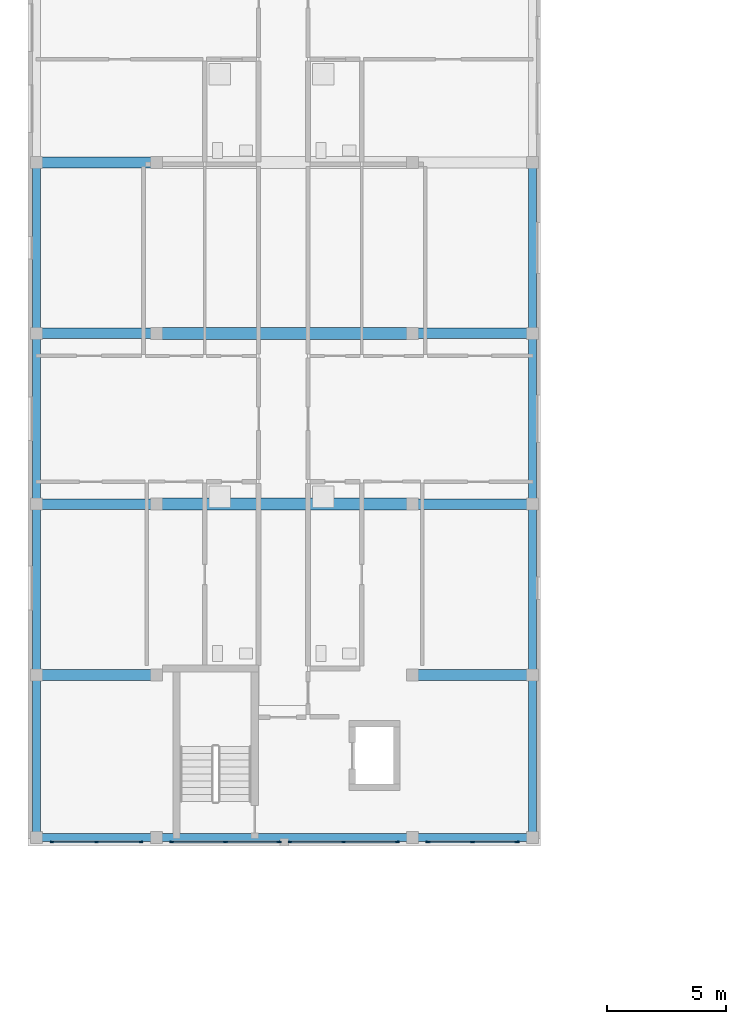
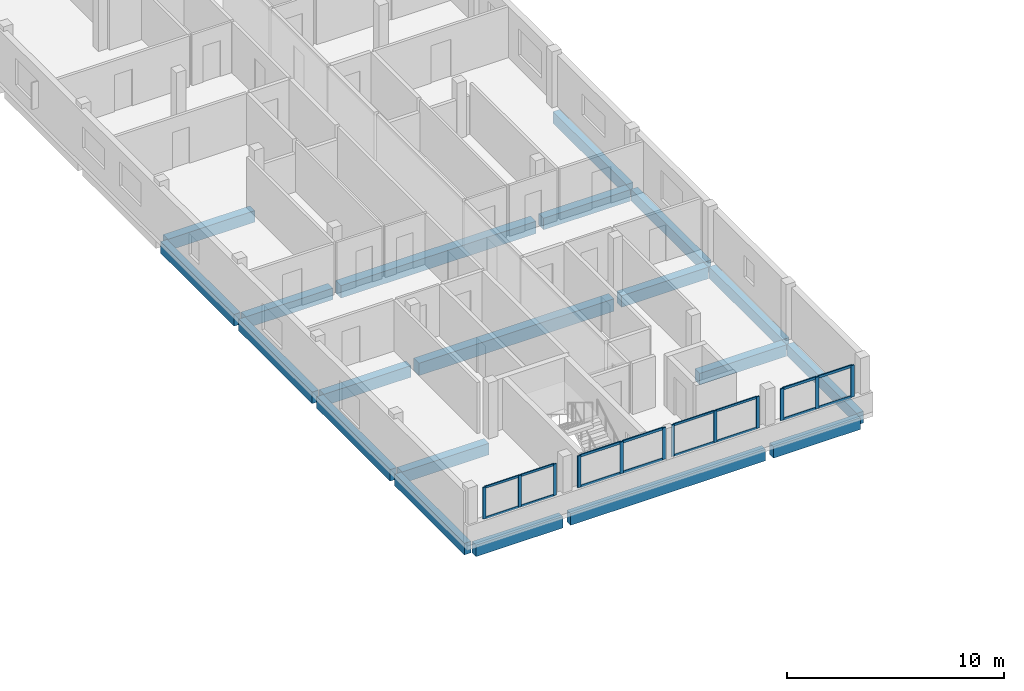
# One storey, part 4 of 28: 28 members, 20 beams, 4 elements without a shape of their own.
"""IFC4 building model written with IfcOpenShell, lengths in metres."""

from ifc_helpers import new_model, si_unit, derived_unit, direction, frame, origin, origin_2d, place, context, subcontext, project, spatial, rectangle, extrude, material, layer, layer_set, material_profile, profile_set, type_object, element, aggregate, save


model = new_model("IFC4")

# Units and contexts
model_context = context("Model", 3, precision=1e-05, world=origin(), true_north=direction((0.0, 1.0)))
body_context = subcontext(model_context, "Body", "Model", "MODEL_VIEW")
ifc_project = project(units=[si_unit("LENGTHUNIT", "METRE"), si_unit("AREAUNIT", "SQUARE_METRE"), si_unit("VOLUMEUNIT", "CUBIC_METRE"), si_unit("PLANEANGLEUNIT", "RADIAN"), si_unit("MASSUNIT", "GRAM", prefix="KILO"), derived_unit("THERMALTRANSMITTANCEUNIT", [(si_unit("MASSUNIT", "GRAM", prefix="KILO"), 1), (si_unit("TIMEUNIT", "SECOND"), -3), (si_unit("THERMODYNAMICTEMPERATUREUNIT", "KELVIN"), -1)])], contexts=[model_context])

# Site, building, storey
site_placement = place(None, origin())
site = spatial("IfcSite", under=ifc_project, at=site_placement, CompositionType="ELEMENT")
building_placement = place(site_placement, origin())
building = spatial("IfcBuilding", under=site, at=building_placement, Name="Ochrekiln Boulevard Commons", CompositionType="ELEMENT")
storey_placement = place(building_placement, frame((0.0, 0.0, 34.125)))
storey = spatial("IfcBuildingStorey", under=building, at=storey_placement, Name="L10", CompositionType="ELEMENT", Elevation=34.125)

# Beams
ifc_material_1 = material(Name="Concrete C35/45", Category="concrete")
ifc_material_profile_1 = material_profile(ifc_material_1, rectangle(XDim=0.449951171875, YDim=0.64990234375, at=origin_2d()), Name="RC-BM-450x650")
ifc_profile_set_1 = profile_set([ifc_material_profile_1], Name="Concrete C35/45")
beam_type_1 = type_object("IfcBeamType", Name="BM-RC-450x650", PredefinedType="BEAM", material=ifc_profile_set_1)
beam_1_placement = place(storey_placement, frame((0.56005859375, 75.60009765625, -0.574951171875), z_axis=(1.0, 0.0, 0.0), x_axis=(0.0, 1.0, 0.0)))
element("IfcBeam", 1, at=beam_1_placement, inside=storey, type_object=beam_type_1, Name="Block A L10 Beam B-4565 X4", PredefinedType="BEAM", context=body_context, shape_type="SweptSolid", body=[
    extrude(rectangle(XDim=0.449951171875, YDim=0.64990234375, at=origin_2d()), origin(), (0.0, 0.0, 1.0), 4.6298828125),
])
beam_2_placement = place(storey_placement, frame((16.409912109375, 75.60009765625, -0.574951171875), z_axis=(1.0, 0.0, 0.0), x_axis=(0.0, 1.0, 0.0)))
element("IfcBeam", 2, at=beam_2_placement, inside=storey, type_object=beam_type_1, Name="Block A L10 Beam B-4565 X5", PredefinedType="BEAM", context=body_context, shape_type="SweptSolid", body=[
    extrude(rectangle(XDim=0.449951171875, YDim=0.64990234375, at=origin_2d()), origin(), (0.0, 0.0, 1.0), 4.630126953125),
])
beam_3_placement = place(storey_placement, frame((0.56005859375, 82.800048828125, -0.574951171875), z_axis=(1.0, 0.0, 0.0), x_axis=(0.0, 1.0, 0.0)))
element("IfcBeam", 3, at=beam_3_placement, inside=storey, type_object=beam_type_1, Name="Block A L10 Beam B-4565 X6", PredefinedType="BEAM", context=body_context, shape_type="SweptSolid", body=[
    extrude(rectangle(XDim=0.449951171875, YDim=0.64990234375, at=origin_2d()), origin(), (0.0, 0.0, 1.0), 4.6298828125),
])
beam_4_placement = place(storey_placement, frame((16.409912109375, 82.800048828125, -0.574951171875), z_axis=(1.0, 0.0, 0.0), x_axis=(0.0, 1.0, 0.0)))
element("IfcBeam", 4, at=beam_4_placement, inside=storey, type_object=beam_type_1, Name="Block A L10 Beam B-4565 X8", PredefinedType="BEAM", context=body_context, shape_type="SweptSolid", body=[
    extrude(rectangle(XDim=0.449951171875, YDim=0.64990234375, at=origin_2d()), origin(), (0.0, 0.0, 1.0), 4.630126953125),
])
beam_5_placement = place(storey_placement, frame((0.56005859375, 90.0, -0.574951171875), z_axis=(1.0, 0.0, 0.0), x_axis=(0.0, 1.0, 0.0)))
element("IfcBeam", 5, at=beam_5_placement, inside=storey, type_object=beam_type_1, Name="Block A L10 Beam B-4565 X9", PredefinedType="BEAM", context=body_context, shape_type="SweptSolid", body=[
    extrude(rectangle(XDim=0.449951171875, YDim=0.64990234375, at=origin_2d()), origin(), (0.0, 0.0, 1.0), 4.6298828125),
])
beam_6_placement = place(storey_placement, frame((16.409912109375, 90.0, -0.574951171875), z_axis=(1.0, 0.0, 0.0), x_axis=(0.0, 1.0, 0.0)))
element("IfcBeam", 6, at=beam_6_placement, inside=storey, type_object=beam_type_1, Name="Block A L10 Beam B-4565 X11", PredefinedType="BEAM", context=body_context, shape_type="SweptSolid", body=[
    extrude(rectangle(XDim=0.449951171875, YDim=0.64990234375, at=origin_2d()), origin(), (0.0, 0.0, 1.0), 4.630126953125),
])
beam_7_placement = place(storey_placement, frame((0.56005859375, 97.199951171875, -0.574951171875), z_axis=(1.0, 0.0, 0.0), x_axis=(0.0, 1.0, 0.0)))
element("IfcBeam", 7, at=beam_7_placement, inside=storey, type_object=beam_type_1, Name="Block A L10 Beam B-4565 X12", PredefinedType="BEAM", context=body_context, shape_type="SweptSolid", body=[
    extrude(rectangle(XDim=0.449951171875, YDim=0.64990234375, at=origin_2d()), origin(), (0.0, 0.0, 1.0), 4.6298828125),
])
ifc_material_2 = material(Name="Concrete C40/50", Category="concrete")
ifc_material_profile_2 = material_profile(ifc_material_2, rectangle(XDim=0.5, YDim=0.699951171875, at=origin_2d()), Name="RC-BM-500x700")
ifc_profile_set_2 = profile_set([ifc_material_profile_2], Name="Concrete C40/50")
beam_type_2 = type_object("IfcBeamType", Name="BM-RC-500x700", PredefinedType="BEAM", material=ifc_profile_set_2)
for number, where, z_axis, x_axis, name in (
    (8, (5.610107421875, 82.800048828125, -0.60009765625), (1.0, 0.0, 0.0), (0.0, 1.0, 0.0), "Block A L10 Beam B-5070 X7"),
    (9, (5.610107421875, 90.0, -0.60009765625), (1.0, 0.0, 0.0), (0.0, 1.0, 0.0), "Block A L10 Beam B-5070 X10"),
):
    element("IfcBeam", number, at=place(storey_placement, frame(where, z_axis=z_axis, x_axis=x_axis)), inside=storey, type_object=beam_type_2, Name=name, PredefinedType="BEAM", context=body_context, shape_type="SweptSolid", body=[
        extrude(rectangle(XDim=0.5, YDim=0.699951171875, at=origin_2d()), origin(), (0.0, 0.0, 1.0), 10.3798828125),
    ])

# Curtain wall, members
ifc_material_3 = material(Name="Bronze-anodized extruded aluminium 6063-T6", Category="aluminium")
ifc_layer = layer(ifc_material_3, 0.172119140625)
ifc_layer_set = layer_set([ifc_layer], Name="Bronze-anodized extruded aluminium 6063-T6")
curtain_wall_type = type_object("IfcCurtainWallType", Name="CW-GABLE-A", PredefinedType="USERDEFINED", material=ifc_layer_set)
curtain_wall_1_placement = place(storey_placement, origin())
curtain_wall_1 = element("IfcCurtainWall", 10, at=curtain_wall_1_placement, inside=storey, type_object=curtain_wall_type, Name="Block A L10 Courtyard Glazed Gable Curtain Wall 1", ObjectType="GLAZED CURTAIN WALL", PredefinedType="USERDEFINED")
ifc_material_profile_3 = material_profile(ifc_material_3, rectangle(XDim=0.06005859375, YDim=0.159912109375, at=origin_2d()), Name="ALU-MUL-60x160")
ifc_profile_set_3 = profile_set([ifc_material_profile_3], Name="Bronze-anodized extruded aluminium 6063-T6")
member_type_1 = type_object("IfcMemberType", Name="CWM-60x160", PredefinedType="MULLION", material=ifc_profile_set_3)
member_1_placement = place(storey_placement, frame((1.0, 68.56005859375, 1.110107421875), z_axis=(0.0, 0.0, 1.0), x_axis=(0.0, 1.0, 0.0)))
member_1 = element("IfcMember", 11, at=member_1_placement, type_object=member_type_1, Name="CW-01 mullion 1", PredefinedType="MULLION", context=body_context, shape_type="SweptSolid", body=[
    extrude(rectangle(XDim=0.06005859375, YDim=0.159912109375, at=origin_2d()), origin(), (0.0, 0.0, 1.0), 1.77978515625),
])
member_2_placement = place(storey_placement, frame((2.875, 68.56005859375, 1.110107421875), z_axis=(0.0, 0.0, 1.0), x_axis=(0.0, 1.0, 0.0)))
member_2 = element("IfcMember", 12, at=member_2_placement, type_object=member_type_1, Name="CW-01 mullion 2", PredefinedType="MULLION", context=body_context, shape_type="SweptSolid", body=[
    extrude(rectangle(XDim=0.06005859375, YDim=0.159912109375, at=origin_2d()), origin(), (0.0, 0.0, 1.0), 1.77978515625),
])
member_3_placement = place(storey_placement, frame((4.75, 68.56005859375, 1.110107421875), z_axis=(0.0, 0.0, 1.0), x_axis=(0.0, 1.0, 0.0)))
member_3 = element("IfcMember", 13, at=member_3_placement, type_object=member_type_1, Name="CW-01 mullion 3", PredefinedType="MULLION", context=body_context, shape_type="SweptSolid", body=[
    extrude(rectangle(XDim=0.06005859375, YDim=0.159912109375, at=origin_2d()), origin(), (0.0, 0.0, 1.0), 1.77978515625),
])

curtain_wall_2_placement = place(storey_placement, origin())
curtain_wall_2 = element("IfcCurtainWall", 14, at=curtain_wall_2_placement, inside=storey, type_object=curtain_wall_type, Name="Block A L10 Courtyard Glazed Gable Curtain Wall 3", ObjectType="GLAZED CURTAIN WALL", PredefinedType="USERDEFINED")
member_4_placement = place(storey_placement, frame((11.030029296875, 68.56005859375, 1.110107421875), z_axis=(0.0, 0.0, 1.0), x_axis=(0.0, 1.0, 0.0)))
member_4 = element("IfcMember", 15, at=member_4_placement, type_object=member_type_1, Name="CW-01 mullion 1", PredefinedType="MULLION", context=body_context, shape_type="SweptSolid", body=[
    extrude(rectangle(XDim=0.06005859375, YDim=0.159912109375, at=origin_2d()), origin(), (0.0, 0.0, 1.0), 1.77978515625),
])
member_5_placement = place(storey_placement, frame((13.2900390625, 68.56005859375, 1.110107421875), z_axis=(0.0, 0.0, 1.0), x_axis=(0.0, 1.0, 0.0)))
member_5 = element("IfcMember", 16, at=member_5_placement, type_object=member_type_1, Name="CW-01 mullion 2", PredefinedType="MULLION", context=body_context, shape_type="SweptSolid", body=[
    extrude(rectangle(XDim=0.06005859375, YDim=0.159912109375, at=origin_2d()), origin(), (0.0, 0.0, 1.0), 1.77978515625),
])
member_6_placement = place(storey_placement, frame((15.550048828125, 68.56005859375, 1.110107421875), z_axis=(0.0, 0.0, 1.0), x_axis=(0.0, 1.0, 0.0)))
member_6 = element("IfcMember", 17, at=member_6_placement, type_object=member_type_1, Name="CW-01 mullion 3", PredefinedType="MULLION", context=body_context, shape_type="SweptSolid", body=[
    extrude(rectangle(XDim=0.06005859375, YDim=0.159912109375, at=origin_2d()), origin(), (0.0, 0.0, 1.0), 1.77978515625),
])

curtain_wall_3_placement = place(storey_placement, origin())
curtain_wall_3 = element("IfcCurtainWall", 18, at=curtain_wall_3_placement, inside=storey, type_object=curtain_wall_type, Name="Block A L10 Courtyard Glazed Gable Curtain Wall 2", ObjectType="GLAZED CURTAIN WALL", PredefinedType="USERDEFINED")
ifc_material_profile_4 = material_profile(ifc_material_3, rectangle(XDim=0.06494140625, YDim=0.179931640625, at=origin_2d()), Name="ALU-MUL-65x180")
ifc_profile_set_4 = profile_set([ifc_material_profile_4], Name="Bronze-anodized extruded aluminium 6063-T6")
member_type_2 = type_object("IfcMemberType", Name="CWM-65x180", PredefinedType="MULLION", material=ifc_profile_set_4)
member_7_placement = place(storey_placement, frame((6.052490234375, 68.56005859375, 1.110107421875), z_axis=(0.0, 0.0, 1.0), x_axis=(0.0, 1.0, 0.0)))
member_7 = element("IfcMember", 19, at=member_7_placement, type_object=member_type_2, Name="CW-01 mullion 1", PredefinedType="MULLION", context=body_context, shape_type="SweptSolid", body=[
    extrude(rectangle(XDim=0.06494140625, YDim=0.179931640625, at=origin_2d()), origin(), (0.0, 0.0, 1.0), 1.77978515625),
])
member_8_placement = place(storey_placement, frame((8.31005859375, 68.56005859375, 1.110107421875), z_axis=(0.0, 0.0, 1.0), x_axis=(0.0, 1.0, 0.0)))
member_8 = element("IfcMember", 20, at=member_8_placement, type_object=member_type_2, Name="CW-01 mullion 2", PredefinedType="MULLION", context=body_context, shape_type="SweptSolid", body=[
    extrude(rectangle(XDim=0.06494140625, YDim=0.179931640625, at=origin_2d()), origin(), (0.0, 0.0, 1.0), 1.77978515625),
])
member_9_placement = place(storey_placement, frame((10.5673828125, 68.56005859375, 1.110107421875), z_axis=(0.0, 0.0, 1.0), x_axis=(0.0, 1.0, 0.0)))
member_9 = element("IfcMember", 21, at=member_9_placement, type_object=member_type_2, Name="CW-01 mullion 3", PredefinedType="MULLION", context=body_context, shape_type="SweptSolid", body=[
    extrude(rectangle(XDim=0.06494140625, YDim=0.179931640625, at=origin_2d()), origin(), (0.0, 0.0, 1.0), 1.77978515625),
])

curtain_wall_4_placement = place(storey_placement, origin())
curtain_wall_4 = element("IfcCurtainWall", 22, at=curtain_wall_4_placement, inside=storey, type_object=curtain_wall_type, Name="Block A L10 Courtyard Glazed Gable Curtain Wall 4", ObjectType="GLAZED CURTAIN WALL", PredefinedType="USERDEFINED")
member_10_placement = place(storey_placement, frame((16.8525390625, 68.56005859375, 1.110107421875), z_axis=(0.0, 0.0, 1.0), x_axis=(0.0, 1.0, 0.0)))
member_10 = element("IfcMember", 23, at=member_10_placement, type_object=member_type_2, Name="CW-01 mullion 1", PredefinedType="MULLION", context=body_context, shape_type="SweptSolid", body=[
    extrude(rectangle(XDim=0.06494140625, YDim=0.179931640625, at=origin_2d()), origin(), (0.0, 0.0, 1.0), 1.77978515625),
])
member_11_placement = place(storey_placement, frame((18.72509765625, 68.56005859375, 1.110107421875), z_axis=(0.0, 0.0, 1.0), x_axis=(0.0, 1.0, 0.0)))
member_11 = element("IfcMember", 24, at=member_11_placement, type_object=member_type_2, Name="CW-01 mullion 2", PredefinedType="MULLION", context=body_context, shape_type="SweptSolid", body=[
    extrude(rectangle(XDim=0.06494140625, YDim=0.179931640625, at=origin_2d()), origin(), (0.0, 0.0, 1.0), 1.77978515625),
])
member_12_placement = place(storey_placement, frame((20.597412109375, 68.56005859375, 1.110107421875), z_axis=(0.0, 0.0, 1.0), x_axis=(0.0, 1.0, 0.0)))
member_12 = element("IfcMember", 25, at=member_12_placement, type_object=member_type_2, Name="CW-01 mullion 3", PredefinedType="MULLION", context=body_context, shape_type="SweptSolid", body=[
    extrude(rectangle(XDim=0.06494140625, YDim=0.179931640625, at=origin_2d()), origin(), (0.0, 0.0, 1.0), 1.77978515625),
])

# Member
ifc_material_profile_5 = material_profile(ifc_material_3, rectangle(XDim=0.06005859375, YDim=0.1201171875, at=origin_2d()), Name="ALU-TRN-60x120")
ifc_profile_set_5 = profile_set([ifc_material_profile_5], Name="Bronze-anodized extruded aluminium 6063-T6")
member_type_3 = type_object("IfcMemberType", Name="CWT-60x120", PredefinedType="USERDEFINED", material=ifc_profile_set_5)
member_13_placement = place(storey_placement, frame((1.030029296875, 68.56005859375, 1.139892578125), z_axis=(1.0, 0.0, 0.0), x_axis=(0.0, 1.0, 0.0)))
member_13 = element("IfcMember", 26, at=member_13_placement, type_object=member_type_3, Name="CW-01 transom 1.1", ObjectType="TRANSOM", PredefinedType="USERDEFINED", context=body_context, shape_type="SweptSolid", body=[
    extrude(rectangle(XDim=0.06005859375, YDim=0.1201171875, at=origin_2d()), origin(), (0.0, 0.0, 1.0), 1.81494140625),
])

member_14_placement = place(storey_placement, frame((1.030029296875, 68.56005859375, 2.860107421875), z_axis=(1.0, 0.0, 0.0), x_axis=(0.0, 1.0, 0.0)))
member_14 = element("IfcMember", 27, at=member_14_placement, type_object=member_type_3, Name="CW-01 transom 1.2", ObjectType="TRANSOM", PredefinedType="USERDEFINED", context=body_context, shape_type="SweptSolid", body=[
    extrude(rectangle(XDim=0.06005859375, YDim=0.1201171875, at=origin_2d()), origin(), (0.0, 0.0, 1.0), 1.81494140625),
])

member_15_placement = place(storey_placement, frame((2.905029296875, 68.56005859375, 1.139892578125), z_axis=(1.0, 0.0, 0.0), x_axis=(0.0, 1.0, 0.0)))
member_15 = element("IfcMember", 28, at=member_15_placement, type_object=member_type_3, Name="CW-01 transom 2.1", ObjectType="TRANSOM", PredefinedType="USERDEFINED", context=body_context, shape_type="SweptSolid", body=[
    extrude(rectangle(XDim=0.06005859375, YDim=0.1201171875, at=origin_2d()), origin(), (0.0, 0.0, 1.0), 1.81494140625),
])

member_16_placement = place(storey_placement, frame((2.905029296875, 68.56005859375, 2.860107421875), z_axis=(1.0, 0.0, 0.0), x_axis=(0.0, 1.0, 0.0)))
member_16 = element("IfcMember", 29, at=member_16_placement, type_object=member_type_3, Name="CW-01 transom 2.2", ObjectType="TRANSOM", PredefinedType="USERDEFINED", context=body_context, shape_type="SweptSolid", body=[
    extrude(rectangle(XDim=0.06005859375, YDim=0.1201171875, at=origin_2d()), origin(), (0.0, 0.0, 1.0), 1.81494140625),
])

aggregate(curtain_wall_1, [member_1, member_2, member_3, member_13, member_14, member_15, member_16])

member_17_placement = place(storey_placement, frame((11.06005859375, 68.56005859375, 1.139892578125), z_axis=(1.0, 0.0, 0.0), x_axis=(0.0, 1.0, 0.0)))
member_17 = element("IfcMember", 30, at=member_17_placement, type_object=member_type_3, Name="CW-01 transom 1.1", ObjectType="TRANSOM", PredefinedType="USERDEFINED", context=body_context, shape_type="SweptSolid", body=[
    extrude(rectangle(XDim=0.06005859375, YDim=0.1201171875, at=origin_2d()), origin(), (0.0, 0.0, 1.0), 2.199951171875),
])

member_18_placement = place(storey_placement, frame((11.06005859375, 68.56005859375, 2.860107421875), z_axis=(1.0, 0.0, 0.0), x_axis=(0.0, 1.0, 0.0)))
member_18 = element("IfcMember", 31, at=member_18_placement, type_object=member_type_3, Name="CW-01 transom 1.2", ObjectType="TRANSOM", PredefinedType="USERDEFINED", context=body_context, shape_type="SweptSolid", body=[
    extrude(rectangle(XDim=0.06005859375, YDim=0.1201171875, at=origin_2d()), origin(), (0.0, 0.0, 1.0), 2.199951171875),
])

member_19_placement = place(storey_placement, frame((13.320068359375, 68.56005859375, 1.139892578125), z_axis=(1.0, 0.0, 0.0), x_axis=(0.0, 1.0, 0.0)))
member_19 = element("IfcMember", 32, at=member_19_placement, type_object=member_type_3, Name="CW-01 transom 2.1", ObjectType="TRANSOM", PredefinedType="USERDEFINED", context=body_context, shape_type="SweptSolid", body=[
    extrude(rectangle(XDim=0.06005859375, YDim=0.1201171875, at=origin_2d()), origin(), (0.0, 0.0, 1.0), 2.199951171875),
])

member_20_placement = place(storey_placement, frame((13.320068359375, 68.56005859375, 2.860107421875), z_axis=(1.0, 0.0, 0.0), x_axis=(0.0, 1.0, 0.0)))
member_20 = element("IfcMember", 33, at=member_20_placement, type_object=member_type_3, Name="CW-01 transom 2.2", ObjectType="TRANSOM", PredefinedType="USERDEFINED", context=body_context, shape_type="SweptSolid", body=[
    extrude(rectangle(XDim=0.06005859375, YDim=0.1201171875, at=origin_2d()), origin(), (0.0, 0.0, 1.0), 2.199951171875),
])

aggregate(curtain_wall_2, [member_4, member_5, member_6, member_17, member_18, member_19, member_20])

ifc_material_profile_6 = material_profile(ifc_material_3, rectangle(XDim=0.06494140625, YDim=0.139892578125, at=origin_2d()), Name="ALU-TRN-65x140")
ifc_profile_set_6 = profile_set([ifc_material_profile_6], Name="Bronze-anodized extruded aluminium 6063-T6")
member_type_4 = type_object("IfcMemberType", Name="CWT-65x140", PredefinedType="USERDEFINED", material=ifc_profile_set_6)
member_21_placement = place(storey_placement, frame((6.0849609375, 68.56005859375, 1.142578125), z_axis=(1.0, 0.0, 0.0), x_axis=(0.0, 1.0, 0.0)))
member_21 = element("IfcMember", 34, at=member_21_placement, type_object=member_type_4, Name="CW-01 transom 1.1", ObjectType="TRANSOM", PredefinedType="USERDEFINED", context=body_context, shape_type="SweptSolid", body=[
    extrude(rectangle(XDim=0.06494140625, YDim=0.139892578125, at=origin_2d()), origin(), (0.0, 0.0, 1.0), 2.192626953125),
])

member_22_placement = place(storey_placement, frame((6.0849609375, 68.56005859375, 2.857421875), z_axis=(1.0, 0.0, 0.0), x_axis=(0.0, 1.0, 0.0)))
member_22 = element("IfcMember", 35, at=member_22_placement, type_object=member_type_4, Name="CW-01 transom 1.2", ObjectType="TRANSOM", PredefinedType="USERDEFINED", context=body_context, shape_type="SweptSolid", body=[
    extrude(rectangle(XDim=0.06494140625, YDim=0.139892578125, at=origin_2d()), origin(), (0.0, 0.0, 1.0), 2.192626953125),
])

member_23_placement = place(storey_placement, frame((8.342529296875, 68.56005859375, 1.142578125), z_axis=(1.0, 0.0, 0.0), x_axis=(0.0, 1.0, 0.0)))
member_23 = element("IfcMember", 36, at=member_23_placement, type_object=member_type_4, Name="CW-01 transom 2.1", ObjectType="TRANSOM", PredefinedType="USERDEFINED", context=body_context, shape_type="SweptSolid", body=[
    extrude(rectangle(XDim=0.06494140625, YDim=0.139892578125, at=origin_2d()), origin(), (0.0, 0.0, 1.0), 2.1923828125),
])

member_24_placement = place(storey_placement, frame((8.342529296875, 68.56005859375, 2.857421875), z_axis=(1.0, 0.0, 0.0), x_axis=(0.0, 1.0, 0.0)))
member_24 = element("IfcMember", 37, at=member_24_placement, type_object=member_type_4, Name="CW-01 transom 2.2", ObjectType="TRANSOM", PredefinedType="USERDEFINED", context=body_context, shape_type="SweptSolid", body=[
    extrude(rectangle(XDim=0.06494140625, YDim=0.139892578125, at=origin_2d()), origin(), (0.0, 0.0, 1.0), 2.1923828125),
])

aggregate(curtain_wall_3, [member_7, member_8, member_9, member_21, member_22, member_23, member_24])

member_25_placement = place(storey_placement, frame((16.885009765625, 68.56005859375, 1.142578125), z_axis=(1.0, 0.0, 0.0), x_axis=(0.0, 1.0, 0.0)))
member_25 = element("IfcMember", 38, at=member_25_placement, type_object=member_type_4, Name="CW-01 transom 1.1", ObjectType="TRANSOM", PredefinedType="USERDEFINED", context=body_context, shape_type="SweptSolid", body=[
    extrude(rectangle(XDim=0.06494140625, YDim=0.139892578125, at=origin_2d()), origin(), (0.0, 0.0, 1.0), 1.807373046875),
])

member_26_placement = place(storey_placement, frame((16.885009765625, 68.56005859375, 2.857421875), z_axis=(1.0, 0.0, 0.0), x_axis=(0.0, 1.0, 0.0)))
member_26 = element("IfcMember", 39, at=member_26_placement, type_object=member_type_4, Name="CW-01 transom 1.2", ObjectType="TRANSOM", PredefinedType="USERDEFINED", context=body_context, shape_type="SweptSolid", body=[
    extrude(rectangle(XDim=0.06494140625, YDim=0.139892578125, at=origin_2d()), origin(), (0.0, 0.0, 1.0), 1.807373046875),
])

member_27_placement = place(storey_placement, frame((18.757568359375, 68.56005859375, 1.142578125), z_axis=(1.0, 0.0, 0.0), x_axis=(0.0, 1.0, 0.0)))
member_27 = element("IfcMember", 40, at=member_27_placement, type_object=member_type_4, Name="CW-01 transom 2.1", ObjectType="TRANSOM", PredefinedType="USERDEFINED", context=body_context, shape_type="SweptSolid", body=[
    extrude(rectangle(XDim=0.06494140625, YDim=0.139892578125, at=origin_2d()), origin(), (0.0, 0.0, 1.0), 1.807373046875),
])

member_28_placement = place(storey_placement, frame((18.757568359375, 68.56005859375, 2.857421875), z_axis=(1.0, 0.0, 0.0), x_axis=(0.0, 1.0, 0.0)))
member_28 = element("IfcMember", 41, at=member_28_placement, type_object=member_type_4, Name="CW-01 transom 2.2", ObjectType="TRANSOM", PredefinedType="USERDEFINED", context=body_context, shape_type="SweptSolid", body=[
    extrude(rectangle(XDim=0.06494140625, YDim=0.139892578125, at=origin_2d()), origin(), (0.0, 0.0, 1.0), 1.807373046875),
])

aggregate(curtain_wall_4, [member_10, member_11, member_12, member_25, member_26, member_27, member_28])

# Beams
ifc_material_profile_7 = material_profile(ifc_material_2, rectangle(XDim=0.35009765625, YDim=0.64990234375, at=origin_2d()), Name="RC-SPN-350x650")
ifc_profile_set_7 = profile_set([ifc_material_profile_7], Name="Concrete C40/50")
beam_type_3 = type_object("IfcBeamType", Name="SPN-RC-350x650", PredefinedType="SPANDREL", material=ifc_profile_set_7)
beam_8_placement = place(storey_placement, frame((0.56005859375, 68.75, -0.574951171875), z_axis=(1.0, 0.0, 0.0), x_axis=(0.0, 1.0, 0.0)))
element("IfcBeam", 42, at=beam_8_placement, inside=storey, type_object=beam_type_3, Name="Block A L10 Beam SP-3565 X1", PredefinedType="SPANDREL", context=body_context, shape_type="SweptSolid", body=[
    extrude(rectangle(XDim=0.35009765625, YDim=0.64990234375, at=origin_2d()), origin(), (0.0, 0.0, 1.0), 4.6298828125),
])
beam_9_placement = place(storey_placement, frame((5.610107421875, 68.75, -0.574951171875), z_axis=(1.0, 0.0, 0.0), x_axis=(0.0, 1.0, 0.0)))
element("IfcBeam", 43, at=beam_9_placement, inside=storey, type_object=beam_type_3, Name="Block A L10 Beam SP-3565 X2", PredefinedType="SPANDREL", context=body_context, shape_type="SweptSolid", body=[
    extrude(rectangle(XDim=0.35009765625, YDim=0.64990234375, at=origin_2d()), origin(), (0.0, 0.0, 1.0), 10.3798828125),
])
beam_10_placement = place(storey_placement, frame((16.409912109375, 68.75, -0.574951171875), z_axis=(1.0, 0.0, 0.0), x_axis=(0.0, 1.0, 0.0)))
element("IfcBeam", 44, at=beam_10_placement, inside=storey, type_object=beam_type_3, Name="Block A L10 Beam SP-3565 X3", PredefinedType="SPANDREL", context=body_context, shape_type="SweptSolid", body=[
    extrude(rectangle(XDim=0.35009765625, YDim=0.64990234375, at=origin_2d()), origin(), (0.0, 0.0, 1.0), 4.630126953125),
])
beam_11_placement = place(storey_placement, frame((0.35009765625, 68.9599609375, -0.574951171875), z_axis=(0.0, 1.0, 0.0), x_axis=(-1.0, 0.0, 0.0)))
element("IfcBeam", 45, at=beam_11_placement, inside=storey, type_object=beam_type_3, Name="Block A L10 Beam SP-3565 Y23", PredefinedType="SPANDREL", context=body_context, shape_type="SweptSolid", body=[
    extrude(rectangle(XDim=0.35009765625, YDim=0.64990234375, at=origin_2d()), origin(), (0.0, 0.0, 1.0), 6.429931640625),
])
for number, where, z_axis, x_axis, name in (
    (46, (0.35009765625, 75.81005859375, -0.574951171875), (0.0, 1.0, 0.0), (-1.0, 0.0, 0.0), "Block A L10 Beam SP-3565 Y24"),
    (47, (0.35009765625, 83.010009765625, -0.574951171875), (0.0, 1.0, 0.0), (-1.0, 0.0, 0.0), "Block A L10 Beam SP-3565 Y25"),
    (48, (0.35009765625, 90.2099609375, -0.574951171875), (0.0, 1.0, 0.0), (-1.0, 0.0, 0.0), "Block A L10 Beam SP-3565 Y26"),
):
    element("IfcBeam", number, at=place(storey_placement, frame(where, z_axis=z_axis, x_axis=x_axis)), inside=storey, type_object=beam_type_3, Name=name, PredefinedType="SPANDREL", context=body_context, shape_type="SweptSolid", body=[
        extrude(rectangle(XDim=0.35009765625, YDim=0.64990234375, at=origin_2d()), origin(), (0.0, 0.0, 1.0), 6.780029296875),
    ])
beam_12_placement = place(storey_placement, frame((21.25, 68.9599609375, -0.574951171875), z_axis=(0.0, 1.0, 0.0), x_axis=(-1.0, 0.0, 0.0)))
element("IfcBeam", 49, at=beam_12_placement, inside=storey, type_object=beam_type_3, Name="Block A L10 Beam SP-3565 Y30", PredefinedType="SPANDREL", context=body_context, shape_type="SweptSolid", body=[
    extrude(rectangle(XDim=0.35009765625, YDim=0.64990234375, at=origin_2d()), origin(), (0.0, 0.0, 1.0), 6.429931640625),
])
for number, where, z_axis, x_axis, name in (
    (50, (21.25, 75.81005859375, -0.574951171875), (0.0, 1.0, 0.0), (-1.0, 0.0, 0.0), "Block A L10 Beam SP-3565 Y31"),
    (51, (21.25, 83.010009765625, -0.574951171875), (0.0, 1.0, 0.0), (-1.0, 0.0, 0.0), "Block A L10 Beam SP-3565 Y32"),
    (52, (21.25, 90.2099609375, -0.574951171875), (0.0, 1.0, 0.0), (-1.0, 0.0, 0.0), "Block A L10 Beam SP-3565 Y33"),
):
    element("IfcBeam", number, at=place(storey_placement, frame(where, z_axis=z_axis, x_axis=x_axis)), inside=storey, type_object=beam_type_3, Name=name, PredefinedType="SPANDREL", context=body_context, shape_type="SweptSolid", body=[
        extrude(rectangle(XDim=0.35009765625, YDim=0.64990234375, at=origin_2d()), origin(), (0.0, 0.0, 1.0), 6.780029296875),
    ])

save(model, "model.ifc")
